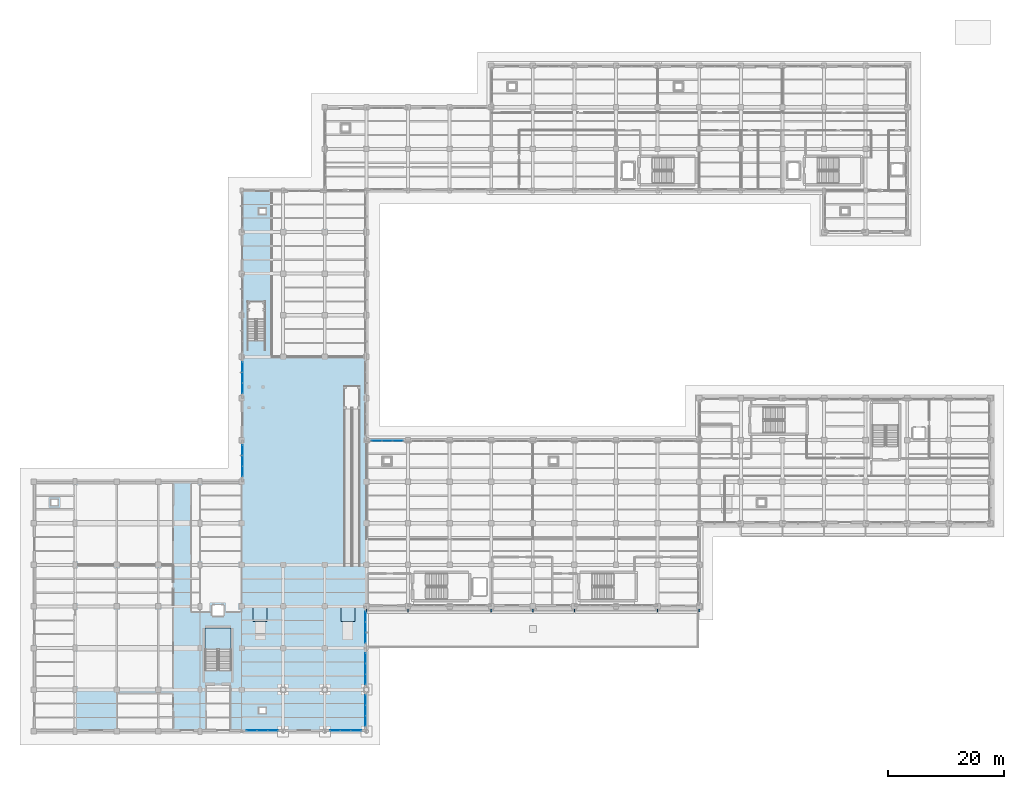
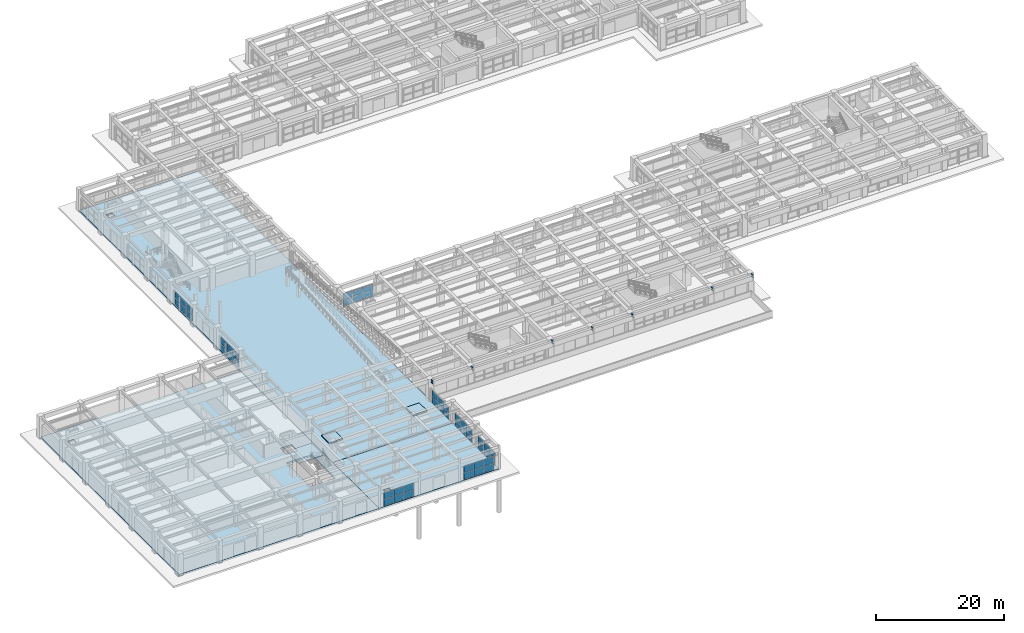
# One storey, part 31 of 64: 48 plates, 7 beams, 6 slabs, 9 elements without a shape of their own.
"""IFC4 building model written with IfcOpenShell, lengths in metres."""

from ifc_helpers import new_model, si_unit, direction, frame, origin, origin_2d, place, context, subcontext, project, spatial, polyline, rectangle, i_section, outline, extrude, material, layer, layer_set, material_profile, profile_set, type_object, element, aggregate, save


model = new_model("IFC4")

# Units and contexts
model_context = context("Model", 3, precision=1e-05, world=origin(), true_north=direction((0.0, 1.0)))
body_context = subcontext(model_context, "Body", "Model", "MODEL_VIEW")
ifc_project = project(units=[si_unit("LENGTHUNIT", "METRE"), si_unit("AREAUNIT", "SQUARE_METRE"), si_unit("VOLUMEUNIT", "CUBIC_METRE"), si_unit("PLANEANGLEUNIT", "RADIAN"), si_unit("MASSUNIT", "GRAM", prefix="KILO")], contexts=[model_context])

# Site, building, storey
site_placement = place(None, origin())
site = spatial("IfcSite", under=ifc_project, at=site_placement, CompositionType="ELEMENT")
building_placement = place(site_placement, origin())
building = spatial("IfcBuilding", under=site, at=building_placement, Name="Solenvale Faculty of Natural Sciences", CompositionType="ELEMENT")
storey_placement = place(building_placement, origin())
storey = spatial("IfcBuildingStorey", under=building, at=storey_placement, Name="L00", CompositionType="ELEMENT", Elevation=0.0)

# Beams
ifc_material_1 = material(Name="Steel S355", Category="steel")
ifc_material_profile = material_profile(ifc_material_1, i_section(OverallWidth=0.2119140625, OverallDepth=0.5439453125, WebThickness=0.01318359375, FlangeThickness=0.021240234375, FilletRadius=0.01904296875, at=origin_2d()), Name="W530x123")
ifc_profile_set = profile_set([ifc_material_profile], Name="Steel S355")
beam_type = type_object("IfcBeamType", Name="BM-STL-W530x123", PredefinedType="BEAM", material=ifc_profile_set)
for number, where, z_axis, x_axis, name in (
    (1, (64.800048828125, 21.14501953125, 3.947998046875), (0.0, -1.0, 0.0), (1.0, 0.0, 0.0), "L00 V4 Cantilever Tray Girder X64.8"),
    (2, (79.199951171875, 21.14501953125, 3.947998046875), (0.0, -1.0, 0.0), (1.0, 0.0, 0.0), "L00 V4 Cantilever Tray Girder X79.2"),
    (3, (86.39990234375, 21.14501953125, 3.947998046875), (0.0, -1.0, 0.0), (1.0, 0.0, 0.0), "L00 V4 Cantilever Tray Girder X86.4"),
    (4, (93.60009765625, 21.14501953125, 3.947998046875), (0.0, -1.0, 0.0), (1.0, 0.0, 0.0), "L00 V4 Cantilever Tray Girder X93.6"),
    (5, (108.0, 21.14501953125, 3.947998046875), (0.0, -1.0, 0.0), (1.0, 0.0, 0.0), "L00 V4 Cantilever Tray Girder X108.0"),
    (6, (115.199951171875, 21.14501953125, 3.947998046875), (0.0, -1.0, 0.0), (1.0, 0.0, 0.0), "L00 V4 Cantilever Tray Girder X115.2"),
    (7, (57.60009765625, 21.14501953125, 3.947998046875), (0.0, -1.0, 0.0), (1.0, 0.0, 0.0), "L00 V4 Cantilever Tray Girder X57.6"),
):
    element("IfcBeam", number, at=place(storey_placement, frame(where, z_axis=z_axis, x_axis=x_axis)), inside=storey, type_object=beam_type, Name=name, PredefinedType="BEAM", context=body_context, shape_type="SweptSolid", body=[
        extrude(i_section(OverallWidth=0.2119140625, OverallDepth=0.5439453125, WebThickness=0.01318359375, FlangeThickness=0.021240234375, FilletRadius=0.01904296875, at=origin_2d()), origin(), (0.0, 0.0, 1.0), 0.544921875),
    ])

# Curtain wall, plates
ifc_material_2 = material(Name="Anodised bronze aluminium", Category="aluminium")
ifc_layer_1 = layer(ifc_material_2, 0.179931640625)
ifc_layer_set_1 = layer_set([ifc_layer_1], Name="Anodised bronze aluminium")
curtain_wall_type_1 = type_object("IfcCurtainWallType", Name="CW-TWR-MOD", PredefinedType="USERDEFINED", material=ifc_layer_set_1)
curtain_wall_1_placement = place(storey_placement, origin())
curtain_wall_1 = element("IfcCurtainWall", 8, at=curtain_wall_1_placement, inside=storey, type_object=curtain_wall_type_1, Name="L00 Curtain Wall CW-L00-P1-E9-B8", ObjectType="UNITISED CURTAIN WALL", PredefinedType="USERDEFINED")
ifc_material_3 = material(Name="Triple low-E insulated glass", Category="glass")
ifc_layer_2 = layer(ifc_material_3, 0.035888671875)
ifc_layer_set_2 = layer_set([ifc_layer_2], Name="Triple low-E insulated glass")
plate_type_1 = type_object("IfcPlateType", Name="CWP-PNL-36", PredefinedType="CURTAIN_PANEL", material=ifc_layer_set_2)
plate_1_placement = place(storey_placement, frame((63.0146484375, 50.257568359375, 0.074951171875), z_axis=(0.0, 0.0, 1.0), x_axis=(-1.0, 0.0, 0.0)))
plate_1 = element("IfcPlate", 9, at=plate_1_placement, type_object=plate_type_1, Name="CW-04 panel 1.1", PredefinedType="CURTAIN_PANEL", context=body_context, shape_type="SweptSolid", body=[
    extrude(rectangle(XDim=1.720947265625, YDim=0.035888671875, at=origin_2d()), origin(), (0.0, 0.0, 1.0), 1.1875),
])
plate_2_placement = place(storey_placement, frame((63.0146484375, 50.257568359375, 1.33740234375), z_axis=(0.0, 0.0, 1.0), x_axis=(-1.0, 0.0, 0.0)))
plate_2 = element("IfcPlate", 10, at=plate_2_placement, type_object=plate_type_1, Name="CW-04 panel 1.2", PredefinedType="CURTAIN_PANEL", context=body_context, shape_type="SweptSolid", body=[
    extrude(rectangle(XDim=1.720947265625, YDim=0.035888671875, at=origin_2d()), origin(), (0.0, 0.0, 1.0), 1.1875),
])
plate_3_placement = place(storey_placement, frame((61.199951171875, 50.257568359375, 0.074951171875), z_axis=(0.0, 0.0, 1.0), x_axis=(-1.0, 0.0, 0.0)))
plate_3 = element("IfcPlate", 11, at=plate_3_placement, type_object=plate_type_1, Name="CW-04 panel 2.1", PredefinedType="CURTAIN_PANEL", context=body_context, shape_type="SweptSolid", body=[
    extrude(rectangle(XDim=1.75830078125, YDim=0.035888671875, at=origin_2d()), origin(), (0.0, 0.0, 1.0), 1.1875),
])
plate_4_placement = place(storey_placement, frame((61.199951171875, 50.257568359375, 1.33740234375), z_axis=(0.0, 0.0, 1.0), x_axis=(-1.0, 0.0, 0.0)))
plate_4 = element("IfcPlate", 12, at=plate_4_placement, type_object=plate_type_1, Name="CW-04 panel 2.2", PredefinedType="CURTAIN_PANEL", context=body_context, shape_type="SweptSolid", body=[
    extrude(rectangle(XDim=1.75830078125, YDim=0.035888671875, at=origin_2d()), origin(), (0.0, 0.0, 1.0), 1.1875),
])
plate_5_placement = place(storey_placement, frame((59.385498046875, 50.257568359375, 0.074951171875), z_axis=(0.0, 0.0, 1.0), x_axis=(-1.0, 0.0, 0.0)))
plate_5 = element("IfcPlate", 13, at=plate_5_placement, type_object=plate_type_1, Name="CW-04 panel 3.1", PredefinedType="CURTAIN_PANEL", context=body_context, shape_type="SweptSolid", body=[
    extrude(rectangle(XDim=1.720947265625, YDim=0.035888671875, at=origin_2d()), origin(), (0.0, 0.0, 1.0), 1.1875),
])
plate_6_placement = place(storey_placement, frame((59.385498046875, 50.257568359375, 1.33740234375), z_axis=(0.0, 0.0, 1.0), x_axis=(-1.0, 0.0, 0.0)))
plate_6 = element("IfcPlate", 14, at=plate_6_placement, type_object=plate_type_1, Name="CW-04 panel 3.2", PredefinedType="CURTAIN_PANEL", context=body_context, shape_type="SweptSolid", body=[
    extrude(rectangle(XDim=1.720947265625, YDim=0.035888671875, at=origin_2d()), origin(), (0.0, 0.0, 1.0), 1.1875),
])
aggregate(curtain_wall_1, [plate_1, plate_2, plate_3, plate_4, plate_5, plate_6])

ifc_layer_3 = layer(ifc_material_2, 0.205078125)
ifc_layer_set_3 = layer_set([ifc_layer_3], Name="Anodised bronze aluminium")
curtain_wall_type_2 = type_object("IfcCurtainWallType", Name="CW-POR-GLZ", PredefinedType="USERDEFINED", material=ifc_layer_set_3)
curtain_wall_2_placement = place(storey_placement, origin())
curtain_wall_2 = element("IfcCurtainWall", 15, at=curtain_wall_2_placement, inside=storey, type_object=curtain_wall_type_2, Name="L00 Curtain Wall CW-L00-P1-E1-B1", ObjectType="UNITISED CURTAIN WALL", PredefinedType="USERDEFINED")
ifc_layer_4 = layer(ifc_material_3, 0.0400390625)
ifc_layer_set_4 = layer_set([ifc_layer_4], Name="Triple low-E insulated glass")
plate_type_2 = type_object("IfcPlateType", Name="CWP-PNL-40", PredefinedType="CURTAIN_PANEL", material=ifc_layer_set_4)
plate_7_placement = place(storey_placement, frame((57.45751953125, 1.785400390625, 0.074951171875), z_axis=(0.0, 0.0, 1.0), x_axis=(0.0, 1.0, 0.0)))
plate_7 = element("IfcPlate", 16, at=plate_7_placement, type_object=plate_type_2, Name="CW-06 panel 1.1", PredefinedType="CURTAIN_PANEL", context=body_context, shape_type="SweptSolid", body=[
    extrude(rectangle(XDim=1.720947265625, YDim=0.0400390625, at=origin_2d()), origin(), (0.0, 0.0, 1.0), 1.1875),
])
plate_8_placement = place(storey_placement, frame((57.45751953125, 1.785400390625, 1.33740234375), z_axis=(0.0, 0.0, 1.0), x_axis=(0.0, 1.0, 0.0)))
plate_8 = element("IfcPlate", 17, at=plate_8_placement, type_object=plate_type_2, Name="CW-06 panel 1.2", PredefinedType="CURTAIN_PANEL", context=body_context, shape_type="SweptSolid", body=[
    extrude(rectangle(XDim=1.720947265625, YDim=0.0400390625, at=origin_2d()), origin(), (0.0, 0.0, 1.0), 1.1875),
])
plate_9_placement = place(storey_placement, frame((57.45751953125, 3.60009765625, 0.074951171875), z_axis=(0.0, 0.0, 1.0), x_axis=(0.0, 1.0, 0.0)))
plate_9 = element("IfcPlate", 18, at=plate_9_placement, type_object=plate_type_2, Name="CW-06 panel 2.1", PredefinedType="CURTAIN_PANEL", context=body_context, shape_type="SweptSolid", body=[
    extrude(rectangle(XDim=1.75830078125, YDim=0.0400390625, at=origin_2d()), origin(), (0.0, 0.0, 1.0), 1.1875),
])
plate_10_placement = place(storey_placement, frame((57.45751953125, 3.60009765625, 1.33740234375), z_axis=(0.0, 0.0, 1.0), x_axis=(0.0, 1.0, 0.0)))
plate_10 = element("IfcPlate", 19, at=plate_10_placement, type_object=plate_type_2, Name="CW-06 panel 2.2", PredefinedType="CURTAIN_PANEL", context=body_context, shape_type="SweptSolid", body=[
    extrude(rectangle(XDim=1.75830078125, YDim=0.0400390625, at=origin_2d()), origin(), (0.0, 0.0, 1.0), 1.1875),
])
plate_11_placement = place(storey_placement, frame((57.45751953125, 5.41455078125, 0.074951171875), z_axis=(0.0, 0.0, 1.0), x_axis=(0.0, 1.0, 0.0)))
plate_11 = element("IfcPlate", 20, at=plate_11_placement, type_object=plate_type_2, Name="CW-06 panel 3.1", PredefinedType="CURTAIN_PANEL", context=body_context, shape_type="SweptSolid", body=[
    extrude(rectangle(XDim=1.720947265625, YDim=0.0400390625, at=origin_2d()), origin(), (0.0, 0.0, 1.0), 1.1875),
])
plate_12_placement = place(storey_placement, frame((57.45751953125, 5.41455078125, 1.33740234375), z_axis=(0.0, 0.0, 1.0), x_axis=(0.0, 1.0, 0.0)))
plate_12 = element("IfcPlate", 21, at=plate_12_placement, type_object=plate_type_2, Name="CW-06 panel 3.2", PredefinedType="CURTAIN_PANEL", context=body_context, shape_type="SweptSolid", body=[
    extrude(rectangle(XDim=1.720947265625, YDim=0.0400390625, at=origin_2d()), origin(), (0.0, 0.0, 1.0), 1.1875),
])
aggregate(curtain_wall_2, [plate_7, plate_8, plate_9, plate_10, plate_11, plate_12])

curtain_wall_3_placement = place(storey_placement, origin())
curtain_wall_3 = element("IfcCurtainWall", 22, at=curtain_wall_3_placement, inside=storey, type_object=curtain_wall_type_2, Name="L00 Curtain Wall CW-L00-P1-E1-B2", ObjectType="UNITISED CURTAIN WALL", PredefinedType="USERDEFINED")
ifc_layer_5 = layer(ifc_material_3, 0.0439453125)
ifc_layer_set_5 = layer_set([ifc_layer_5], Name="Triple low-E insulated glass")
plate_type_3 = type_object("IfcPlateType", Name="CWP-PNL-44", PredefinedType="CURTAIN_PANEL", material=ifc_layer_set_5)
plate_13_placement = place(storey_placement, frame((57.45751953125, 8.9853515625, 0.074951171875), z_axis=(0.0, 0.0, 1.0), x_axis=(0.0, 1.0, 0.0)))
plate_13 = element("IfcPlate", 23, at=plate_13_placement, type_object=plate_type_3, Name="CW-06 panel 1.1", PredefinedType="CURTAIN_PANEL", context=body_context, shape_type="SweptSolid", body=[
    extrude(rectangle(XDim=1.720947265625, YDim=0.0439453125, at=origin_2d()), origin(), (0.0, 0.0, 1.0), 1.1875),
])
plate_14_placement = place(storey_placement, frame((57.45751953125, 8.9853515625, 1.33740234375), z_axis=(0.0, 0.0, 1.0), x_axis=(0.0, 1.0, 0.0)))
plate_14 = element("IfcPlate", 24, at=plate_14_placement, type_object=plate_type_3, Name="CW-06 panel 1.2", PredefinedType="CURTAIN_PANEL", context=body_context, shape_type="SweptSolid", body=[
    extrude(rectangle(XDim=1.720947265625, YDim=0.0439453125, at=origin_2d()), origin(), (0.0, 0.0, 1.0), 1.1875),
])
plate_15_placement = place(storey_placement, frame((57.45751953125, 10.800048828125, 0.074951171875), z_axis=(0.0, 0.0, 1.0), x_axis=(0.0, 1.0, 0.0)))
plate_15 = element("IfcPlate", 25, at=plate_15_placement, type_object=plate_type_3, Name="CW-06 panel 2.1", PredefinedType="CURTAIN_PANEL", context=body_context, shape_type="SweptSolid", body=[
    extrude(rectangle(XDim=1.75830078125, YDim=0.0439453125, at=origin_2d()), origin(), (0.0, 0.0, 1.0), 1.1875),
])
plate_16_placement = place(storey_placement, frame((57.45751953125, 10.800048828125, 1.33740234375), z_axis=(0.0, 0.0, 1.0), x_axis=(0.0, 1.0, 0.0)))
plate_16 = element("IfcPlate", 26, at=plate_16_placement, type_object=plate_type_3, Name="CW-06 panel 2.2", PredefinedType="CURTAIN_PANEL", context=body_context, shape_type="SweptSolid", body=[
    extrude(rectangle(XDim=1.75830078125, YDim=0.0439453125, at=origin_2d()), origin(), (0.0, 0.0, 1.0), 1.1875),
])
plate_17_placement = place(storey_placement, frame((57.45751953125, 12.614501953125, 0.074951171875), z_axis=(0.0, 0.0, 1.0), x_axis=(0.0, 1.0, 0.0)))
plate_17 = element("IfcPlate", 27, at=plate_17_placement, type_object=plate_type_3, Name="CW-06 panel 3.1", PredefinedType="CURTAIN_PANEL", context=body_context, shape_type="SweptSolid", body=[
    extrude(rectangle(XDim=1.720947265625, YDim=0.0439453125, at=origin_2d()), origin(), (0.0, 0.0, 1.0), 1.1875),
])
plate_18_placement = place(storey_placement, frame((57.45751953125, 12.614501953125, 1.33740234375), z_axis=(0.0, 0.0, 1.0), x_axis=(0.0, 1.0, 0.0)))
plate_18 = element("IfcPlate", 28, at=plate_18_placement, type_object=plate_type_3, Name="CW-06 panel 3.2", PredefinedType="CURTAIN_PANEL", context=body_context, shape_type="SweptSolid", body=[
    extrude(rectangle(XDim=1.720947265625, YDim=0.0439453125, at=origin_2d()), origin(), (0.0, 0.0, 1.0), 1.1875),
])
aggregate(curtain_wall_3, [plate_13, plate_14, plate_15, plate_16, plate_17, plate_18])

ifc_layer_6 = layer(ifc_material_2, 0.215087890625)
ifc_layer_set_6 = layer_set([ifc_layer_6], Name="Anodised bronze aluminium")
curtain_wall_type_3 = type_object("IfcCurtainWallType", Name="CW-ATR-UNIT", PredefinedType="USERDEFINED", material=ifc_layer_set_6)
curtain_wall_4_placement = place(storey_placement, origin())
curtain_wall_4 = element("IfcCurtainWall", 29, at=curtain_wall_4_placement, inside=storey, type_object=curtain_wall_type_3, Name="L00 Curtain Wall CW-L00-P1-E2-B1", ObjectType="UNITISED CURTAIN WALL", PredefinedType="USERDEFINED")
plate_19_placement = place(storey_placement, frame((57.45751953125, 16.185302734375, 0.074951171875), z_axis=(0.0, 0.0, 1.0), x_axis=(0.0, 1.0, 0.0)))
plate_19 = element("IfcPlate", 30, at=plate_19_placement, type_object=plate_type_3, Name="CW-01 panel 1.1", PredefinedType="CURTAIN_PANEL", context=body_context, shape_type="SweptSolid", body=[
    extrude(rectangle(XDim=1.720947265625, YDim=0.0439453125, at=origin_2d()), origin(), (0.0, 0.0, 1.0), 1.1875),
])
plate_20_placement = place(storey_placement, frame((57.45751953125, 16.185302734375, 1.33740234375), z_axis=(0.0, 0.0, 1.0), x_axis=(0.0, 1.0, 0.0)))
plate_20 = element("IfcPlate", 31, at=plate_20_placement, type_object=plate_type_3, Name="CW-01 panel 1.2", PredefinedType="CURTAIN_PANEL", context=body_context, shape_type="SweptSolid", body=[
    extrude(rectangle(XDim=1.720947265625, YDim=0.0439453125, at=origin_2d()), origin(), (0.0, 0.0, 1.0), 1.1875),
])
plate_21_placement = place(storey_placement, frame((57.45751953125, 18.0, 0.074951171875), z_axis=(0.0, 0.0, 1.0), x_axis=(0.0, 1.0, 0.0)))
plate_21 = element("IfcPlate", 32, at=plate_21_placement, type_object=plate_type_3, Name="CW-01 panel 2.1", PredefinedType="CURTAIN_PANEL", context=body_context, shape_type="SweptSolid", body=[
    extrude(rectangle(XDim=1.75830078125, YDim=0.0439453125, at=origin_2d()), origin(), (0.0, 0.0, 1.0), 1.1875),
])
plate_22_placement = place(storey_placement, frame((57.45751953125, 18.0, 1.33740234375), z_axis=(0.0, 0.0, 1.0), x_axis=(0.0, 1.0, 0.0)))
plate_22 = element("IfcPlate", 33, at=plate_22_placement, type_object=plate_type_3, Name="CW-01 panel 2.2", PredefinedType="CURTAIN_PANEL", context=body_context, shape_type="SweptSolid", body=[
    extrude(rectangle(XDim=1.75830078125, YDim=0.0439453125, at=origin_2d()), origin(), (0.0, 0.0, 1.0), 1.1875),
])
plate_23_placement = place(storey_placement, frame((57.45751953125, 19.814697265625, 0.074951171875), z_axis=(0.0, 0.0, 1.0), x_axis=(0.0, 1.0, 0.0)))
plate_23 = element("IfcPlate", 34, at=plate_23_placement, type_object=plate_type_3, Name="CW-01 panel 3.1", PredefinedType="CURTAIN_PANEL", context=body_context, shape_type="SweptSolid", body=[
    extrude(rectangle(XDim=1.720947265625, YDim=0.0439453125, at=origin_2d()), origin(), (0.0, 0.0, 1.0), 1.1875),
])
plate_24_placement = place(storey_placement, frame((57.45751953125, 19.814697265625, 1.33740234375), z_axis=(0.0, 0.0, 1.0), x_axis=(0.0, 1.0, 0.0)))
plate_24 = element("IfcPlate", 35, at=plate_24_placement, type_object=plate_type_3, Name="CW-01 panel 3.2", PredefinedType="CURTAIN_PANEL", context=body_context, shape_type="SweptSolid", body=[
    extrude(rectangle(XDim=1.720947265625, YDim=0.0439453125, at=origin_2d()), origin(), (0.0, 0.0, 1.0), 1.1875),
])
aggregate(curtain_wall_4, [plate_19, plate_20, plate_21, plate_22, plate_23, plate_24])

curtain_wall_5_placement = place(storey_placement, origin())
curtain_wall_5 = element("IfcCurtainWall", 36, at=curtain_wall_5_placement, inside=storey, type_object=curtain_wall_type_3, Name="L00 Curtain Wall CW-L00-P1-E22-B5", ObjectType="UNITISED CURTAIN WALL", PredefinedType="USERDEFINED")
plate_25_placement = place(storey_placement, frame((36.142578125, 63.0146484375, 0.074951171875), z_axis=(0.0, 0.0, 1.0), x_axis=(0.0, -1.0, 0.0)))
plate_25 = element("IfcPlate", 37, at=plate_25_placement, type_object=plate_type_3, Name="CW-01 panel 1.1", PredefinedType="CURTAIN_PANEL", context=body_context, shape_type="SweptSolid", body=[
    extrude(rectangle(XDim=1.720947265625, YDim=0.0439453125, at=origin_2d()), origin(), (0.0, 0.0, 1.0), 1.1875),
])
plate_26_placement = place(storey_placement, frame((36.142578125, 63.0146484375, 1.33740234375), z_axis=(0.0, 0.0, 1.0), x_axis=(0.0, -1.0, 0.0)))
plate_26 = element("IfcPlate", 38, at=plate_26_placement, type_object=plate_type_3, Name="CW-01 panel 1.2", PredefinedType="CURTAIN_PANEL", context=body_context, shape_type="SweptSolid", body=[
    extrude(rectangle(XDim=1.720947265625, YDim=0.0439453125, at=origin_2d()), origin(), (0.0, 0.0, 1.0), 1.1875),
])
plate_27_placement = place(storey_placement, frame((36.142578125, 61.199951171875, 0.074951171875), z_axis=(0.0, 0.0, 1.0), x_axis=(0.0, -1.0, 0.0)))
plate_27 = element("IfcPlate", 39, at=plate_27_placement, type_object=plate_type_3, Name="CW-01 panel 2.1", PredefinedType="CURTAIN_PANEL", context=body_context, shape_type="SweptSolid", body=[
    extrude(rectangle(XDim=1.75830078125, YDim=0.0439453125, at=origin_2d()), origin(), (0.0, 0.0, 1.0), 1.1875),
])
plate_28_placement = place(storey_placement, frame((36.142578125, 61.199951171875, 1.33740234375), z_axis=(0.0, 0.0, 1.0), x_axis=(0.0, -1.0, 0.0)))
plate_28 = element("IfcPlate", 40, at=plate_28_placement, type_object=plate_type_3, Name="CW-01 panel 2.2", PredefinedType="CURTAIN_PANEL", context=body_context, shape_type="SweptSolid", body=[
    extrude(rectangle(XDim=1.75830078125, YDim=0.0439453125, at=origin_2d()), origin(), (0.0, 0.0, 1.0), 1.1875),
])
plate_29_placement = place(storey_placement, frame((36.142578125, 59.385498046875, 0.074951171875), z_axis=(0.0, 0.0, 1.0), x_axis=(0.0, -1.0, 0.0)))
plate_29 = element("IfcPlate", 41, at=plate_29_placement, type_object=plate_type_3, Name="CW-01 panel 3.1", PredefinedType="CURTAIN_PANEL", context=body_context, shape_type="SweptSolid", body=[
    extrude(rectangle(XDim=1.720947265625, YDim=0.0439453125, at=origin_2d()), origin(), (0.0, 0.0, 1.0), 1.1875),
])
plate_30_placement = place(storey_placement, frame((36.142578125, 59.385498046875, 1.33740234375), z_axis=(0.0, 0.0, 1.0), x_axis=(0.0, -1.0, 0.0)))
plate_30 = element("IfcPlate", 42, at=plate_30_placement, type_object=plate_type_3, Name="CW-01 panel 3.2", PredefinedType="CURTAIN_PANEL", context=body_context, shape_type="SweptSolid", body=[
    extrude(rectangle(XDim=1.720947265625, YDim=0.0439453125, at=origin_2d()), origin(), (0.0, 0.0, 1.0), 1.1875),
])
aggregate(curtain_wall_5, [plate_25, plate_26, plate_27, plate_28, plate_29, plate_30])

curtain_wall_6_placement = place(storey_placement, origin())
curtain_wall_6 = element("IfcCurtainWall", 43, at=curtain_wall_6_placement, inside=storey, type_object=curtain_wall_type_2, Name="L00 Curtain Wall CW-L00-P1-E26-B1", ObjectType="UNITISED CURTAIN WALL", PredefinedType="USERDEFINED")
plate_31_placement = place(storey_placement, frame((37.785400390625, 0.142578125, 0.074951171875), z_axis=(0.0, 0.0, 1.0), x_axis=(1.0, 0.0, 0.0)))
plate_31 = element("IfcPlate", 44, at=plate_31_placement, type_object=plate_type_3, Name="CW-06 panel 1.1", PredefinedType="CURTAIN_PANEL", context=body_context, shape_type="SweptSolid", body=[
    extrude(rectangle(XDim=1.720947265625, YDim=0.0439453125, at=origin_2d()), origin(), (0.0, 0.0, 1.0), 1.1875),
])
plate_32_placement = place(storey_placement, frame((37.785400390625, 0.142578125, 1.33740234375), z_axis=(0.0, 0.0, 1.0), x_axis=(1.0, 0.0, 0.0)))
plate_32 = element("IfcPlate", 45, at=plate_32_placement, type_object=plate_type_3, Name="CW-06 panel 1.2", PredefinedType="CURTAIN_PANEL", context=body_context, shape_type="SweptSolid", body=[
    extrude(rectangle(XDim=1.720947265625, YDim=0.0439453125, at=origin_2d()), origin(), (0.0, 0.0, 1.0), 1.1875),
])
plate_33_placement = place(storey_placement, frame((39.60009765625, 0.142578125, 0.074951171875), z_axis=(0.0, 0.0, 1.0), x_axis=(1.0, 0.0, 0.0)))
plate_33 = element("IfcPlate", 46, at=plate_33_placement, type_object=plate_type_3, Name="CW-06 panel 2.1", PredefinedType="CURTAIN_PANEL", context=body_context, shape_type="SweptSolid", body=[
    extrude(rectangle(XDim=1.75830078125, YDim=0.0439453125, at=origin_2d()), origin(), (0.0, 0.0, 1.0), 1.1875),
])
plate_34_placement = place(storey_placement, frame((39.60009765625, 0.142578125, 1.33740234375), z_axis=(0.0, 0.0, 1.0), x_axis=(1.0, 0.0, 0.0)))
plate_34 = element("IfcPlate", 47, at=plate_34_placement, type_object=plate_type_3, Name="CW-06 panel 2.2", PredefinedType="CURTAIN_PANEL", context=body_context, shape_type="SweptSolid", body=[
    extrude(rectangle(XDim=1.75830078125, YDim=0.0439453125, at=origin_2d()), origin(), (0.0, 0.0, 1.0), 1.1875),
])
plate_35_placement = place(storey_placement, frame((41.41455078125, 0.142578125, 0.074951171875), z_axis=(0.0, 0.0, 1.0), x_axis=(1.0, 0.0, 0.0)))
plate_35 = element("IfcPlate", 48, at=plate_35_placement, type_object=plate_type_3, Name="CW-06 panel 3.1", PredefinedType="CURTAIN_PANEL", context=body_context, shape_type="SweptSolid", body=[
    extrude(rectangle(XDim=1.720947265625, YDim=0.0439453125, at=origin_2d()), origin(), (0.0, 0.0, 1.0), 1.1875),
])
plate_36_placement = place(storey_placement, frame((41.41455078125, 0.142578125, 1.33740234375), z_axis=(0.0, 0.0, 1.0), x_axis=(1.0, 0.0, 0.0)))
plate_36 = element("IfcPlate", 49, at=plate_36_placement, type_object=plate_type_3, Name="CW-06 panel 3.2", PredefinedType="CURTAIN_PANEL", context=body_context, shape_type="SweptSolid", body=[
    extrude(rectangle(XDim=1.720947265625, YDim=0.0439453125, at=origin_2d()), origin(), (0.0, 0.0, 1.0), 1.1875),
])
aggregate(curtain_wall_6, [plate_31, plate_32, plate_33, plate_34, plate_35, plate_36])

curtain_wall_7_placement = place(storey_placement, origin())
curtain_wall_7 = element("IfcCurtainWall", 50, at=curtain_wall_7_placement, inside=storey, type_object=curtain_wall_type_3, Name="L00 Curtain Wall CW-L00-P1-E22-B7", ObjectType="UNITISED CURTAIN WALL", PredefinedType="USERDEFINED")
ifc_layer_7 = layer(ifc_material_2, 0.053955078125)
ifc_layer_set_7 = layer_set([ifc_layer_7], Name="Anodised bronze aluminium")
plate_type_4 = type_object("IfcPlateType", Name="CWP-PNL-54", PredefinedType="CURTAIN_PANEL", material=ifc_layer_set_7)
plate_37_placement = place(storey_placement, frame((36.142578125, 48.614501953125, 0.074951171875), z_axis=(0.0, 0.0, 1.0), x_axis=(0.0, -1.0, 0.0)))
plate_37 = element("IfcPlate", 51, at=plate_37_placement, type_object=plate_type_4, Name="CW-01 panel 1.1", PredefinedType="CURTAIN_PANEL", context=body_context, shape_type="SweptSolid", body=[
    extrude(rectangle(XDim=1.720947265625, YDim=0.053955078125, at=origin_2d()), origin(), (0.0, 0.0, 1.0), 1.1875),
])
plate_38_placement = place(storey_placement, frame((36.142578125, 48.614501953125, 1.33740234375), z_axis=(0.0, 0.0, 1.0), x_axis=(0.0, -1.0, 0.0)))
plate_38 = element("IfcPlate", 52, at=plate_38_placement, type_object=plate_type_4, Name="CW-01 panel 1.2", PredefinedType="CURTAIN_PANEL", context=body_context, shape_type="SweptSolid", body=[
    extrude(rectangle(XDim=1.720947265625, YDim=0.053955078125, at=origin_2d()), origin(), (0.0, 0.0, 1.0), 1.1875),
])
plate_39_placement = place(storey_placement, frame((36.142578125, 46.800048828125, 0.074951171875), z_axis=(0.0, 0.0, 1.0), x_axis=(0.0, -1.0, 0.0)))
plate_39 = element("IfcPlate", 53, at=plate_39_placement, type_object=plate_type_4, Name="CW-01 panel 2.1", PredefinedType="CURTAIN_PANEL", context=body_context, shape_type="SweptSolid", body=[
    extrude(rectangle(XDim=1.75830078125, YDim=0.053955078125, at=origin_2d()), origin(), (0.0, 0.0, 1.0), 1.1875),
])
plate_40_placement = place(storey_placement, frame((36.142578125, 46.800048828125, 1.33740234375), z_axis=(0.0, 0.0, 1.0), x_axis=(0.0, -1.0, 0.0)))
plate_40 = element("IfcPlate", 54, at=plate_40_placement, type_object=plate_type_4, Name="CW-01 panel 2.2", PredefinedType="CURTAIN_PANEL", context=body_context, shape_type="SweptSolid", body=[
    extrude(rectangle(XDim=1.75830078125, YDim=0.053955078125, at=origin_2d()), origin(), (0.0, 0.0, 1.0), 1.1875),
])
plate_41_placement = place(storey_placement, frame((36.142578125, 44.9853515625, 0.074951171875), z_axis=(0.0, 0.0, 1.0), x_axis=(0.0, -1.0, 0.0)))
plate_41 = element("IfcPlate", 55, at=plate_41_placement, type_object=plate_type_4, Name="CW-01 panel 3.1", PredefinedType="CURTAIN_PANEL", context=body_context, shape_type="SweptSolid", body=[
    extrude(rectangle(XDim=1.720947265625, YDim=0.053955078125, at=origin_2d()), origin(), (0.0, 0.0, 1.0), 1.1875),
])
plate_42_placement = place(storey_placement, frame((36.142578125, 44.9853515625, 1.33740234375), z_axis=(0.0, 0.0, 1.0), x_axis=(0.0, -1.0, 0.0)))
plate_42 = element("IfcPlate", 56, at=plate_42_placement, type_object=plate_type_4, Name="CW-01 panel 3.2", PredefinedType="CURTAIN_PANEL", context=body_context, shape_type="SweptSolid", body=[
    extrude(rectangle(XDim=1.720947265625, YDim=0.053955078125, at=origin_2d()), origin(), (0.0, 0.0, 1.0), 1.1875),
])
aggregate(curtain_wall_7, [plate_37, plate_38, plate_39, plate_40, plate_41, plate_42])

curtain_wall_8_placement = place(storey_placement, origin())
curtain_wall_8 = element("IfcCurtainWall", 57, at=curtain_wall_8_placement, inside=storey, type_object=curtain_wall_type_2, Name="L00 Curtain Wall CW-L00-P1-E26-B3", ObjectType="UNITISED CURTAIN WALL", PredefinedType="USERDEFINED")
plate_43_placement = place(storey_placement, frame((52.185302734375, 0.142578125, 0.074951171875), z_axis=(0.0, 0.0, 1.0), x_axis=(1.0, 0.0, 0.0)))
plate_43 = element("IfcPlate", 58, at=plate_43_placement, type_object=plate_type_4, Name="CW-06 panel 1.1", PredefinedType="CURTAIN_PANEL", context=body_context, shape_type="SweptSolid", body=[
    extrude(rectangle(XDim=1.720947265625, YDim=0.053955078125, at=origin_2d()), origin(), (0.0, 0.0, 1.0), 1.1875),
])
plate_44_placement = place(storey_placement, frame((52.185302734375, 0.142578125, 1.33740234375), z_axis=(0.0, 0.0, 1.0), x_axis=(1.0, 0.0, 0.0)))
plate_44 = element("IfcPlate", 59, at=plate_44_placement, type_object=plate_type_4, Name="CW-06 panel 1.2", PredefinedType="CURTAIN_PANEL", context=body_context, shape_type="SweptSolid", body=[
    extrude(rectangle(XDim=1.720947265625, YDim=0.053955078125, at=origin_2d()), origin(), (0.0, 0.0, 1.0), 1.1875),
])
plate_45_placement = place(storey_placement, frame((54.0, 0.142578125, 0.074951171875), z_axis=(0.0, 0.0, 1.0), x_axis=(1.0, 0.0, 0.0)))
plate_45 = element("IfcPlate", 60, at=plate_45_placement, type_object=plate_type_4, Name="CW-06 panel 2.1", PredefinedType="CURTAIN_PANEL", context=body_context, shape_type="SweptSolid", body=[
    extrude(rectangle(XDim=1.75830078125, YDim=0.053955078125, at=origin_2d()), origin(), (0.0, 0.0, 1.0), 1.1875),
])
plate_46_placement = place(storey_placement, frame((54.0, 0.142578125, 1.33740234375), z_axis=(0.0, 0.0, 1.0), x_axis=(1.0, 0.0, 0.0)))
plate_46 = element("IfcPlate", 61, at=plate_46_placement, type_object=plate_type_4, Name="CW-06 panel 2.2", PredefinedType="CURTAIN_PANEL", context=body_context, shape_type="SweptSolid", body=[
    extrude(rectangle(XDim=1.75830078125, YDim=0.053955078125, at=origin_2d()), origin(), (0.0, 0.0, 1.0), 1.1875),
])
plate_47_placement = place(storey_placement, frame((55.814697265625, 0.142578125, 0.074951171875), z_axis=(0.0, 0.0, 1.0), x_axis=(1.0, 0.0, 0.0)))
plate_47 = element("IfcPlate", 62, at=plate_47_placement, type_object=plate_type_4, Name="CW-06 panel 3.1", PredefinedType="CURTAIN_PANEL", context=body_context, shape_type="SweptSolid", body=[
    extrude(rectangle(XDim=1.720947265625, YDim=0.053955078125, at=origin_2d()), origin(), (0.0, 0.0, 1.0), 1.1875),
])
plate_48_placement = place(storey_placement, frame((55.814697265625, 0.142578125, 1.33740234375), z_axis=(0.0, 0.0, 1.0), x_axis=(1.0, 0.0, 0.0)))
plate_48 = element("IfcPlate", 63, at=plate_48_placement, type_object=plate_type_4, Name="CW-06 panel 3.2", PredefinedType="CURTAIN_PANEL", context=body_context, shape_type="SweptSolid", body=[
    extrude(rectangle(XDim=1.720947265625, YDim=0.053955078125, at=origin_2d()), origin(), (0.0, 0.0, 1.0), 1.1875),
])
aggregate(curtain_wall_8, [plate_43, plate_44, plate_45, plate_46, plate_47, plate_48])

# Slabs
ifc_material_4 = material(Name="Concrete 40 MPa", Category="concrete")
ifc_layer_8 = layer(ifc_material_4, 0.35009765625)
ifc_layer_set_8 = layer_set([ifc_layer_8], Name="Concrete 40 MPa")
slab_type_1 = type_object("IfcSlabType", Name="SL-BASE-350", PredefinedType="BASESLAB", material=ifc_layer_set_8)
slab_1_placement = place(storey_placement, frame((0.0, 0.0, -0.35009765625)))
element("IfcSlab", 64, at=slab_1_placement, inside=storey, type_object=slab_type_1, Name="L00 V0 Baseslab Slab 1.1", PredefinedType="BASESLAB", context=body_context, shape_type="SweptSolid", body=[
    extrude(outline(polyline([(57.574951171875, 14.39990234375), (57.5927734375, 14.392578125), (57.60009765625, 14.375), (57.60009765625, 0.02490234375), (57.5888671875, 0.004150390625), (36.02490234375, 0.0), (36.004150390625, 0.010986328125), (36.0, 14.375), (36.010986328125, 14.395751953125), (57.574951171875, 14.39990234375)]), holes=[polyline([(39.050048828125, 3.14990234375), (40.14990234375, 3.14990234375), (40.14990234375, 4.050048828125), (39.050048828125, 4.050048828125), (39.050048828125, 3.14990234375)])]), origin(), (0.0, 0.0, 1.0), 0.35009765625),
])
ifc_layer_9 = layer(ifc_material_4, 0.35009765625)
ifc_layer_set_9 = layer_set([ifc_layer_9], Name="Concrete 40 MPa")
slab_type_2 = type_object("IfcSlabType", Name="SL-FLR-350", PredefinedType="FLOOR", material=ifc_layer_set_9)
slab_2_placement = place(storey_placement, frame((0.0, 0.0, -0.35009765625)))
element("IfcSlab", 65, at=slab_2_placement, inside=storey, type_object=slab_type_2, Name="L00 V1 Floor Slab 1.1", PredefinedType="FLOOR", context=body_context, shape_type="SweptSolid", body=[
    extrude(outline(polyline([(0.0, 43.175048828125), (0.00732421875, 43.192626953125), (0.02490234375, 43.199951171875), (35.97509765625, 43.199951171875), (35.994384765625, 43.19091796875), (36.0, 43.175048828125), (36.0, 0.02490234375), (35.990966796875, 0.005615234375), (35.97509765625, 0.0), (0.02490234375, 0.0), (0.005615234375, 0.009033203125), (0.0, 0.02490234375), (0.0, 43.175048828125)]), holes=[polyline([(29.699951171875, 10.5400390625), (34.199951171875, 10.5400390625), (34.199951171875, 17.89990234375), (29.699951171875, 17.89990234375), (29.699951171875, 10.5400390625)]), polyline([(30.885009765625, 19.9599609375), (32.9150390625, 19.9599609375), (32.9150390625, 21.840087890625), (30.885009765625, 21.840087890625), (30.885009765625, 19.9599609375)]), polyline([(3.050048828125, 39.14990234375), (4.14990234375, 39.14990234375), (4.14990234375, 40.050048828125), (3.050048828125, 40.050048828125), (3.050048828125, 39.14990234375)])]), origin(), (0.0, 0.0, 1.0), 0.35009765625),
])
slab_3_placement = place(storey_placement, frame((0.0, 0.0, -0.35009765625)))
element("IfcSlab", 66, at=slab_3_placement, inside=storey, type_object=slab_type_2, Name="L00 V3 Floor Slab 1.1", PredefinedType="FLOOR", context=body_context, shape_type="SweptSolid", body=[
    extrude(outline(polyline([(57.60009765625, 14.425048828125), (57.5927734375, 14.4072265625), (57.574951171875, 14.39990234375), (36.02490234375, 14.39990234375), (36.001220703125, 14.417724609375), (36.0, 93.574951171875), (36.017578125, 93.598876953125), (57.574951171875, 93.60009765625), (57.598876953125, 93.582275390625), (57.60009765625, 14.425048828125)]), holes=[polyline([(39.050048828125, 89.550048828125), (40.14990234375, 89.550048828125), (40.14990234375, 90.449951171875), (39.050048828125, 90.449951171875), (39.050048828125, 89.550048828125)])]), origin(), (0.0, 0.0, 1.0), 0.35009765625),
])

# Stair, slab
stair_type = type_object("IfcStairType", Name="STR-CORE-25R", PredefinedType="DOUBLE_RETURN_STAIR", material=ifc_material_4)
stair_placement = place(storey_placement, origin())
stair = element("IfcStair", 67, at=stair_placement, inside=storey, type_object=stair_type, Name="L00 Protected Exit Stair ST-01", PredefinedType="DOUBLE_RETURN_STAIR")
ifc_layer_10 = layer(ifc_material_4, 0.195068359375)
ifc_layer_set_10 = layer_set([ifc_layer_10], Name="Concrete 40 MPa")
slab_type_3 = type_object("IfcSlabType", Name="SL-LND-195", PredefinedType="LANDING", material=ifc_layer_set_10)
slab_4_placement = place(storey_placement, frame((0.0, 0.0, 2.050048828125)))
slab_4 = element("IfcSlab", 68, at=slab_4_placement, type_object=slab_type_3, Name="ST-01 landing 1", PredefinedType="LANDING", context=body_context, shape_type="SweptSolid", body=[
    extrude(outline(polyline([(34.199951171875, 14.139892578125), (34.199951171875, 17.89990234375), (29.699951171875, 17.89990234375), (29.699951171875, 14.139892578125), (34.199951171875, 14.139892578125)])), origin(), (0.0, 0.0, 1.0), 0.199951171875),
])
aggregate(stair, [slab_4])

# Slabs
ifc_material_5 = material(Name="Precast terrace paving concrete 35 MPa", Category="concrete")
ifc_layer_11 = layer(ifc_material_5, 0.2548828125)
ifc_layer_set_11 = layer_set([ifc_layer_11], Name="Precast terrace paving concrete 35 MPa")
slab_type_4 = type_object("IfcSlabType", Name="SL-TERR-255", PredefinedType="FLOOR", material=ifc_layer_set_11)
slab_5_placement = place(storey_placement, origin())
element("IfcSlab", 69, at=slab_5_placement, inside=storey, type_object=slab_type_4, Name="RMP-03 Accessible Foyer Dais", PredefinedType="FLOOR", context=body_context, shape_type="SweptSolid", body=[
    extrude(outline(polyline([(38.0, 19.0), (40.39990234375, 19.0), (40.39990234375, 21.39990234375), (38.0, 21.39990234375), (38.0, 19.0)])), origin(), (0.0, 0.0, 1.0), 0.25),
])
slab_6_placement = place(storey_placement, origin())
element("IfcSlab", 70, at=slab_6_placement, inside=storey, type_object=slab_type_4, Name="RMP-04 Accessible Foyer Dais", PredefinedType="FLOOR", context=body_context, shape_type="SweptSolid", body=[
    extrude(outline(polyline([(53.199951171875, 19.0), (55.60009765625, 19.0), (55.60009765625, 21.39990234375), (53.199951171875, 21.39990234375), (53.199951171875, 19.0)])), origin(), (0.0, 0.0, 1.0), 0.25),
])

save(model, "model.ifc")
